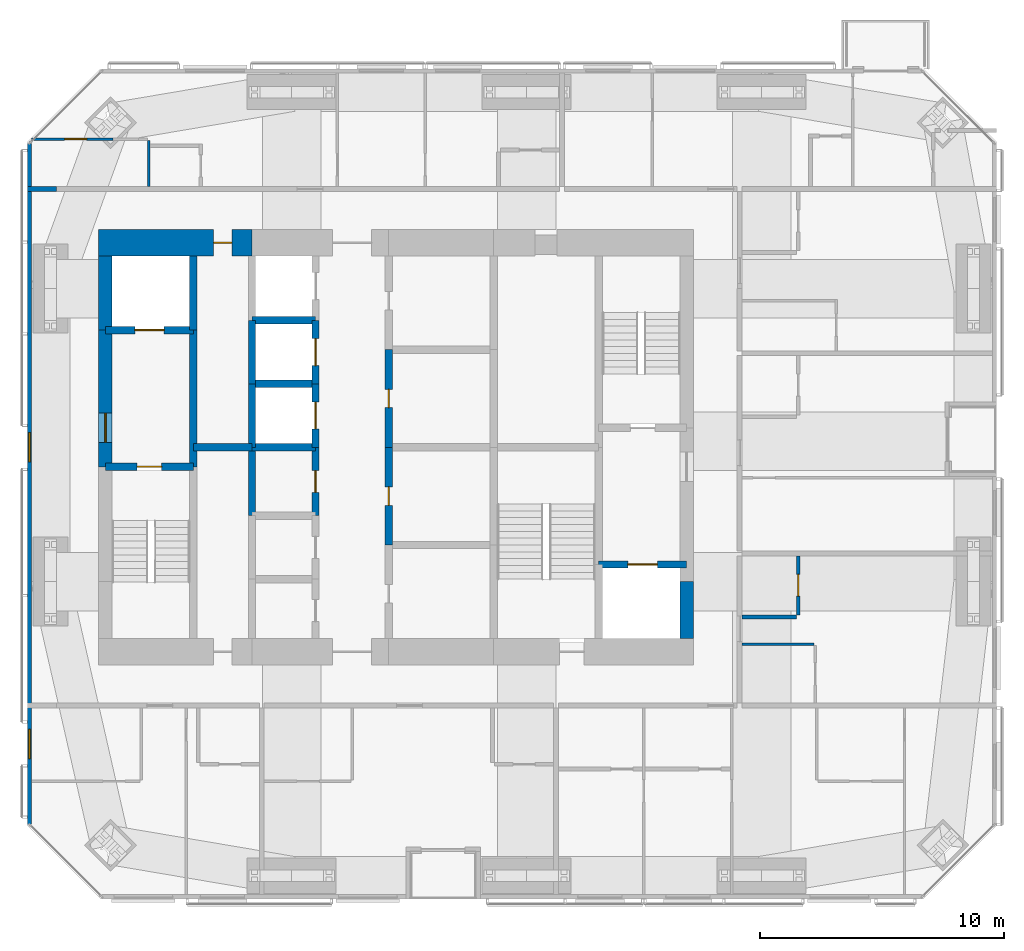
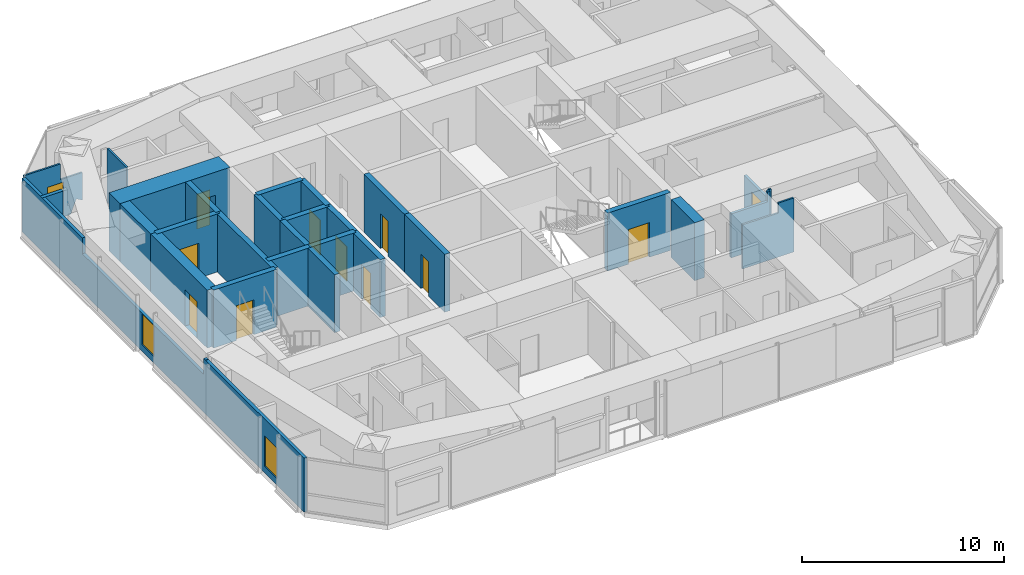
# One storey, part 15 of 19: 28 walls, 12 doors, 2 windows, 14 openings.
"""IFC4 building model written with IfcOpenShell, lengths in metres."""

from ifc_helpers import new_model, si_unit, direction, frame, frame_2d, origin, place, context, subcontext, project, spatial, polyline, rectangle, outline, extrude, material, layer, layer_set, constituent, constituent_set, type_object, element, fill, save


model = new_model("IFC4")

# Units and contexts
model_context = context("Model", 3, precision=1e-05, world=origin(), true_north=direction((0.0, 1.0)))
body_context = subcontext(model_context, "Body", "Model", "MODEL_VIEW")
ifc_project = project(units=[si_unit("LENGTHUNIT", "METRE"), si_unit("AREAUNIT", "SQUARE_METRE"), si_unit("VOLUMEUNIT", "CUBIC_METRE"), si_unit("PLANEANGLEUNIT", "RADIAN"), si_unit("MASSUNIT", "GRAM", prefix="KILO")], contexts=[model_context])

# Site, building, storey
site_placement = place(None, origin())
site = spatial("IfcSite", under=ifc_project, at=site_placement, CompositionType="ELEMENT")
building_placement = place(site_placement, origin())
building = spatial("IfcBuilding", under=site, at=building_placement, Name="Jalousie Tower", CompositionType="ELEMENT")
storey_placement = place(building_placement, frame((0.0, 0.0, 217.949951171875)))
storey = spatial("IfcBuildingStorey", under=building, at=storey_placement, Name="L59", CompositionType="ELEMENT", Elevation=217.949951171875)

# Wall, opening, door
ifc_material_1 = material(Name="Concrete block ASTM C90", Category="concrete")
ifc_constituent_1 = constituent(ifc_material_1, Name="Body")
ifc_material_2 = material(Name="Render")
ifc_constituent_2 = constituent(ifc_material_2, Name="Finish")
ifc_constituent_set_1 = constituent_set(constituents=[ifc_constituent_1, ifc_constituent_2])
wall_type_1 = type_object("IfcWallType", Name="BATHROOM WALL 150", PredefinedType="PLUMBINGWALL", material=ifc_constituent_set_1)
wall_1_placement = place(storey_placement, frame((48.375, 11.625, 0.0), z_axis=(0.0, 0.0, 1.0), x_axis=(0.0, 1.0, 0.0)))
wall_1 = element("IfcWall", 1, at=wall_1_placement, inside=storey, type_object=wall_type_1, Name="Bathroom Wall 150 L59", PredefinedType="PLUMBINGWALL", context=body_context, shape_type="SweptSolid", body=[
    extrude(outline(polyline([(0.0, 0.0), (2.425048828125, 0.0), (2.425048828125, 3.260009765625), (2.425048828125, 2.66015625), (0.090087890625, 2.66015625), (0.090087890625, 3.260009765625), (0.0, 3.260009765625), (0.0, 0.0)])), frame((0.0, 0.074951171875, 0.0), z_axis=(0.0, -1.0, 0.0), x_axis=(1.0, 0.0, 0.0)), (0.0, 0.0, 1.0), 0.14990234375),
])
opening_1_placement = place(wall_1_placement, frame((0.77490234375, 0.0, 0.0)))
opening_1 = element("IfcOpeningElement", 2, at=opening_1_placement, cuts=wall_1, Name="Opening D3", PredefinedType="OPENING", context=body_context, shape_type="SweptSolid", body=[
    extrude(rectangle(XDim=0.89990234375, YDim=2.10009765625, at=frame_2d((0.449951171875, 1.050048828125))), frame((0.0, 0.0849609375, 0.0), z_axis=(0.0, -1.0, 0.0), x_axis=(1.0, 0.0, 0.0)), (0.0, 0.0, 1.0), 0.169921875),
])
ifc_material_3 = material(Name="Timber door", Category="wood")
door_type_1 = type_object("IfcDoorType", Name="BATHROOM DOOR 900", OperationType="SINGLE_SWING_LEFT", PredefinedType="DOOR", material=ifc_material_3)
door_1_placement = place(opening_1_placement, origin())
door_1 = element("IfcDoor", 3, at=door_1_placement, inside=storey, type_object=door_type_1, Name="Apartment 5906 bathroom door", OperationType="SINGLE_SWING_RIGHT", OverallHeight=2.10009765625, OverallWidth=0.89990234375, PredefinedType="DOOR", context=body_context, shape_type="SweptSolid", body=[
    extrude(rectangle(XDim=0.89990234375, YDim=2.10009765625, at=frame_2d((0.449951171875, 1.050048828125))), frame((0.0, 0.02490234375, 0.0), z_axis=(0.0, -1.0, 0.0), x_axis=(1.0, 0.0, 0.0)), (0.0, 0.0, 1.0), 0.050048828125),
])
fill(opening_1, door_1)

# Wall
wall_2_placement = place(storey_placement, frame((48.300048828125, 11.550048828125, 0.0), z_axis=(0.0, 0.0, 1.0), x_axis=(-1.0, 0.0, 0.0)))
element("IfcWall", 4, at=wall_2_placement, inside=storey, type_object=wall_type_1, Name="Bathroom Wall 150 L59", PredefinedType="PLUMBINGWALL", context=body_context, shape_type="SweptSolid", body=[
    extrude(outline(polyline([(0.0, 0.0), (2.22509765625, 0.0), (2.22509765625, 3.260009765625), (2.22509765625, 2.66015625), (0.139892578125, 2.66015625), (0.139892578125, 3.260009765625), (0.0, 3.260009765625), (0.0, 0.0)])), frame((0.0, 0.074951171875, 0.0), z_axis=(0.0, -1.0, 0.0), x_axis=(1.0, 0.0, 0.0)), (0.0, 0.0, 1.0), 0.14990234375),
])

# Wall, opening, door
ifc_material_4 = material(Name="Concrete f'c 120 MPa", Category="concrete")
ifc_layer_1 = layer(ifc_material_4, 1.10009765625)
ifc_layer_set_1 = layer_set([ifc_layer_1], Name="Concrete f'c 120 MPa")
wall_type_2 = type_object("IfcWallType", Name="CORE WALL 1100", PredefinedType="SHEAR", material=ifc_layer_set_1)
wall_3_placement = place(storey_placement, frame((26.0, 26.875, 0.0), z_axis=(0.0, 0.0, 1.0), x_axis=(-1.0, 0.0, 0.0)))
wall_3 = element("IfcWall", 5, at=wall_3_placement, inside=storey, type_object=wall_type_2, Name="Core wall ND L59", PredefinedType="SHEAR", context=body_context, shape_type="SweptSolid", body=[
    extrude(rectangle(XDim=6.27490234375, YDim=1.10009765625, at=frame_2d((3.137451171875, 0.0))), origin(), (0.0, 0.0, 1.0), 3.5),
])
opening_2_placement = place(wall_3_placement, frame((0.824951171875, 0.0, 0.0)))
opening_2 = element("IfcOpeningElement", 6, at=opening_2_placement, cuts=wall_3, Name="Opening D16", PredefinedType="OPENING", context=body_context, shape_type="SweptSolid", body=[
    extrude(rectangle(XDim=0.75, YDim=2.10009765625, at=frame_2d((0.375, 1.050048828125))), frame((0.0, 0.56005859375, 0.0), z_axis=(0.0, -1.0, 0.0), x_axis=(1.0, 0.0, 0.0)), (0.0, 0.0, 1.0), 1.1201171875),
])
ifc_material_5 = material(Name="Steel fire door", Category="steel")
door_type_2 = type_object("IfcDoorType", Name="RISER DOOR 750", OperationType="SINGLE_SWING_LEFT", PredefinedType="DOOR", material=ifc_material_5)
door_2_placement = place(opening_2_placement, origin())
door_2 = element("IfcDoor", 7, at=door_2_placement, inside=storey, type_object=door_type_2, Name="North riser door", OperationType="SINGLE_SWING_RIGHT", OverallHeight=2.10009765625, OverallWidth=0.75, PredefinedType="DOOR", context=body_context, shape_type="SweptSolid", body=[
    extrude(rectangle(XDim=0.75, YDim=2.10009765625, at=frame_2d((0.375, 1.050048828125))), frame((0.0, 0.02490234375, 0.0), z_axis=(0.0, -1.0, 0.0), x_axis=(1.0, 0.0, 0.0)), (0.0, 0.0, 1.0), 0.050048828125),
])
fill(opening_2, door_2)

# Walls
ifc_material_6 = material(Name="Concrete f'c 120 MPa", Category="concrete")
ifc_layer_2 = layer(ifc_material_6, 0.300048828125)
ifc_layer_set_2 = layer_set([ifc_layer_2], Name="Concrete f'c 120 MPa")
wall_type_3 = type_object("IfcWallType", Name="CORE WALL 300", PredefinedType="SHEAR", material=ifc_layer_set_2)
wall_4_placement = place(storey_placement, frame((23.60009765625, 17.699951171875, 0.0), z_axis=(0.0, 0.0, 1.0), x_axis=(0.0, 1.0, 0.0)))
element("IfcWall", 8, at=wall_4_placement, inside=storey, type_object=wall_type_3, Name="Core wall X23.6B L59", PredefinedType="SHEAR", context=body_context, shape_type="SweptSolid", body=[
    extrude(rectangle(XDim=5.60009765625, YDim=0.300048828125, at=frame_2d((2.800048828125, 0.0))), origin(), (0.0, 0.0, 1.0), 3.5),
])
wall_5_placement = place(storey_placement, frame((23.60009765625, 23.300048828125, 0.0), z_axis=(0.0, 0.0, 1.0), x_axis=(0.0, 1.0, 0.0)))
element("IfcWall", 9, at=wall_5_placement, inside=storey, type_object=wall_type_3, Name="Core wall X23.6C L59", PredefinedType="SHEAR", context=body_context, shape_type="SweptSolid", body=[
    extrude(rectangle(XDim=3.02490234375, YDim=0.300048828125, at=frame_2d((1.512451171875, 0.0))), origin(), (0.0, 0.0, 1.0), 3.5),
])
wall_6_placement = place(storey_placement, frame((26.0, 15.699951171875, 0.0), z_axis=(0.0, 0.0, 1.0), x_axis=(0.0, 1.0, 0.0)))
element("IfcWall", 10, at=wall_6_placement, inside=storey, type_object=wall_type_3, Name="Core wall X26C L59", PredefinedType="SHEAR", context=body_context, shape_type="SweptSolid", body=[
    extrude(rectangle(XDim=2.800048828125, YDim=0.300048828125, at=frame_2d((1.39990234375, 0.0))), origin(), (0.0, 0.0, 1.0), 3.5),
])
wall_7_placement = place(storey_placement, frame((26.0, 18.5, 0.0), z_axis=(0.0, 0.0, 1.0), x_axis=(0.0, 1.0, 0.0)))
element("IfcWall", 11, at=wall_7_placement, inside=storey, type_object=wall_type_3, Name="Core wall X26D L59", PredefinedType="SHEAR", context=body_context, shape_type="SweptSolid", body=[
    extrude(rectangle(XDim=2.60009765625, YDim=0.300048828125, at=frame_2d((1.300048828125, 0.0))), origin(), (0.0, 0.0, 1.0), 3.5),
])
wall_8_placement = place(storey_placement, frame((26.0, 21.10009765625, 0.0), z_axis=(0.0, 0.0, 1.0), x_axis=(0.0, 1.0, 0.0)))
element("IfcWall", 12, at=wall_8_placement, inside=storey, type_object=wall_type_3, Name="Core wall X26E L59", PredefinedType="SHEAR", context=body_context, shape_type="SweptSolid", body=[
    extrude(rectangle(XDim=2.599853515625, YDim=0.300048828125, at=frame_2d((1.2998046875, 0.0))), origin(), (0.0, 0.0, 1.0), 3.5),
])

# Wall, opening, door
wall_9_placement = place(storey_placement, frame((28.60009765625, 15.699951171875, 0.0), z_axis=(0.0, 0.0, 1.0), x_axis=(0.0, 1.0, 0.0)))
wall_9 = element("IfcWall", 13, at=wall_9_placement, inside=storey, type_object=wall_type_3, Name="Core wall X28.6C L59", PredefinedType="SHEAR", context=body_context, shape_type="SweptSolid", body=[
    extrude(rectangle(XDim=2.800048828125, YDim=0.300048828125, at=frame_2d((1.39990234375, 0.0))), origin(), (0.0, 0.0, 1.0), 3.5),
])
opening_3_placement = place(wall_9_placement, frame((0.949951171875, 0.0, 0.0)))
opening_3 = element("IfcOpeningElement", 14, at=opening_3_placement, cuts=wall_9, Name="Opening D24", PredefinedType="OPENING", context=body_context, shape_type="SweptSolid", body=[
    extrude(rectangle(XDim=0.89990234375, YDim=2.10009765625, at=frame_2d((0.449951171875, 1.050048828125))), frame((0.0, 0.159912109375, 0.0), z_axis=(0.0, -1.0, 0.0), x_axis=(1.0, 0.0, 0.0)), (0.0, 0.0, 1.0), 0.320068359375),
])
ifc_material_7 = material(Name="Steel fire door", Category="steel")
door_type_3 = type_object("IfcDoorType", Name="CORE ROOM DOOR 900", OperationType="SINGLE_SWING_LEFT", PredefinedType="DOOR", material=ifc_material_7)
door_3_placement = place(opening_3_placement, origin())
door_3 = element("IfcDoor", 15, at=door_3_placement, inside=storey, type_object=door_type_3, Name="Linen store door", OperationType="SINGLE_SWING_LEFT", OverallHeight=2.10009765625, OverallWidth=0.89990234375, PredefinedType="DOOR", context=body_context, shape_type="SweptSolid", body=[
    extrude(rectangle(XDim=0.89990234375, YDim=2.10009765625, at=frame_2d((0.449951171875, 1.050048828125))), frame((0.0, 0.02490234375, 0.0), z_axis=(0.0, -1.0, 0.0), x_axis=(1.0, 0.0, 0.0)), (0.0, 0.0, 1.0), 0.050048828125),
])
fill(opening_3, door_3)

wall_10_placement = place(storey_placement, frame((28.60009765625, 18.5, 0.0), z_axis=(0.0, 0.0, 1.0), x_axis=(0.0, 1.0, 0.0)))
wall_10 = element("IfcWall", 16, at=wall_10_placement, inside=storey, type_object=wall_type_3, Name="Core wall X28.6D L59", PredefinedType="SHEAR", context=body_context, shape_type="SweptSolid", body=[
    extrude(rectangle(XDim=2.60009765625, YDim=0.300048828125, at=frame_2d((1.300048828125, 0.0))), origin(), (0.0, 0.0, 1.0), 3.5),
])
opening_4_placement = place(wall_10_placement, frame((0.75, 0.0, 0.0)))
opening_4 = element("IfcOpeningElement", 17, at=opening_4_placement, cuts=wall_10, Name="Opening LD1", PredefinedType="OPENING", context=body_context, shape_type="SweptSolid", body=[
    extrude(rectangle(XDim=1.10009765625, YDim=2.10009765625, at=frame_2d((0.550048828125, 1.050048828125))), frame((0.0, 0.159912109375, 0.0), z_axis=(0.0, -1.0, 0.0), x_axis=(1.0, 0.0, 0.0)), (0.0, 0.0, 1.0), 0.320068359375),
])
ifc_material_8 = material(Name="Steel lift landing door", Category="steel")
door_type_4 = type_object("IfcDoorType", Name="LIFT LANDING DOOR 1100", OperationType="SLIDING_TO_LEFT", PredefinedType="DOOR", material=ifc_material_8)
door_4_placement = place(opening_4_placement, origin())
door_4 = element("IfcDoor", 18, at=door_4_placement, inside=storey, type_object=door_type_4, Name="Lift P4 landing door", OperationType="SLIDING_TO_LEFT", OverallHeight=2.10009765625, OverallWidth=1.10009765625, PredefinedType="DOOR", context=body_context, shape_type="SweptSolid", body=[
    extrude(rectangle(XDim=1.10009765625, YDim=2.10009765625, at=frame_2d((0.550048828125, 1.050048828125))), frame((0.0, 0.02490234375, 0.0), z_axis=(0.0, -1.0, 0.0), x_axis=(1.0, 0.0, 0.0)), (0.0, 0.0, 1.0), 0.050048828125),
])
fill(opening_4, door_4)

wall_11_placement = place(storey_placement, frame((28.60009765625, 21.10009765625, 0.0), z_axis=(0.0, 0.0, 1.0), x_axis=(0.0, 1.0, 0.0)))
wall_11 = element("IfcWall", 19, at=wall_11_placement, inside=storey, type_object=wall_type_3, Name="Core wall X28.6E L59", PredefinedType="SHEAR", context=body_context, shape_type="SweptSolid", body=[
    extrude(rectangle(XDim=2.599853515625, YDim=0.300048828125, at=frame_2d((1.2998046875, 0.0))), origin(), (0.0, 0.0, 1.0), 3.5),
])
opening_5_placement = place(wall_11_placement, frame((0.75, 0.0, 0.0)))
opening_5 = element("IfcOpeningElement", 20, at=opening_5_placement, cuts=wall_11, Name="Opening LD1", PredefinedType="OPENING", context=body_context, shape_type="SweptSolid", body=[
    extrude(rectangle(XDim=1.10009765625, YDim=2.10009765625, at=frame_2d((0.550048828125, 1.050048828125))), frame((0.0, 0.159912109375, 0.0), z_axis=(0.0, -1.0, 0.0), x_axis=(1.0, 0.0, 0.0)), (0.0, 0.0, 1.0), 0.320068359375),
])
door_5_placement = place(opening_5_placement, origin())
door_5 = element("IfcDoor", 21, at=door_5_placement, inside=storey, type_object=door_type_4, Name="Lift P5 landing door", OperationType="SLIDING_TO_LEFT", OverallHeight=2.10009765625, OverallWidth=1.10009765625, PredefinedType="DOOR", context=body_context, shape_type="SweptSolid", body=[
    extrude(rectangle(XDim=1.10009765625, YDim=2.10009765625, at=frame_2d((0.550048828125, 1.050048828125))), frame((0.0, 0.02490234375, 0.0), z_axis=(0.0, -1.0, 0.0), x_axis=(1.0, 0.0, 0.0)), (0.0, 0.0, 1.0), 0.050048828125),
])
fill(opening_5, door_5)

wall_12_placement = place(storey_placement, frame((31.60009765625, 14.5, 0.0), z_axis=(0.0, 0.0, 1.0), x_axis=(0.0, 1.0, 0.0)))
wall_12 = element("IfcWall", 22, at=wall_12_placement, inside=storey, type_object=wall_type_3, Name="Core wall X31.6B L59", PredefinedType="SHEAR", context=body_context, shape_type="SweptSolid", body=[
    extrude(rectangle(XDim=4.0, YDim=0.300048828125, at=frame_2d((2.0, 0.0))), origin(), (0.0, 0.0, 1.0), 3.5),
])
opening_6_placement = place(wall_12_placement, frame((1.625, 0.0, 0.0)))
opening_6 = element("IfcOpeningElement", 23, at=opening_6_placement, cuts=wall_12, Name="Opening D16", PredefinedType="OPENING", context=body_context, shape_type="SweptSolid", body=[
    extrude(rectangle(XDim=0.75, YDim=2.10009765625, at=frame_2d((0.375, 1.050048828125))), frame((0.0, 0.159912109375, 0.0), z_axis=(0.0, -1.0, 0.0), x_axis=(1.0, 0.0, 0.0)), (0.0, 0.0, 1.0), 0.320068359375),
])
door_6_placement = place(opening_6_placement, frame((0.75, 0.0, 0.0), z_axis=(0.0, 0.0, 1.0), x_axis=(-1.0, 0.0, 0.0)))
door_6 = element("IfcDoor", 24, at=door_6_placement, inside=storey, type_object=door_type_2, Name="Electrical Room door", OperationType="SINGLE_SWING_RIGHT", OverallHeight=2.10009765625, OverallWidth=0.75, PredefinedType="DOOR", context=body_context, shape_type="SweptSolid", body=[
    extrude(rectangle(XDim=0.75, YDim=2.10009765625, at=frame_2d((0.375, 1.050048828125))), frame((0.0, 0.02490234375, 0.0), z_axis=(0.0, -1.0, 0.0), x_axis=(1.0, 0.0, 0.0)), (0.0, 0.0, 1.0), 0.050048828125),
])
fill(opening_6, door_6)

wall_13_placement = place(storey_placement, frame((31.60009765625, 18.5, 0.0), z_axis=(0.0, 0.0, 1.0), x_axis=(0.0, 1.0, 0.0)))
wall_13 = element("IfcWall", 25, at=wall_13_placement, inside=storey, type_object=wall_type_3, Name="Core wall X31.6C L59", PredefinedType="SHEAR", context=body_context, shape_type="SweptSolid", body=[
    extrude(rectangle(XDim=4.0, YDim=0.300048828125, at=frame_2d((2.0, 0.0))), origin(), (0.0, 0.0, 1.0), 3.5),
])
opening_7_placement = place(wall_13_placement, frame((1.625, 0.0, 0.0)))
opening_7 = element("IfcOpeningElement", 26, at=opening_7_placement, cuts=wall_13, Name="Opening D16", PredefinedType="OPENING", context=body_context, shape_type="SweptSolid", body=[
    extrude(rectangle(XDim=0.75, YDim=2.10009765625, at=frame_2d((0.375, 1.050048828125))), frame((0.0, 0.159912109375, 0.0), z_axis=(0.0, -1.0, 0.0), x_axis=(1.0, 0.0, 0.0)), (0.0, 0.0, 1.0), 0.320068359375),
])
door_7_placement = place(opening_7_placement, frame((0.75, 0.0, 0.0), z_axis=(0.0, 0.0, 1.0), x_axis=(-1.0, 0.0, 0.0)))
door_7 = element("IfcDoor", 27, at=door_7_placement, inside=storey, type_object=door_type_2, Name="Telecom Room door", OperationType="SINGLE_SWING_RIGHT", OverallHeight=2.10009765625, OverallWidth=0.75, PredefinedType="DOOR", context=body_context, shape_type="SweptSolid", body=[
    extrude(rectangle(XDim=0.75, YDim=2.10009765625, at=frame_2d((0.375, 1.050048828125))), frame((0.0, 0.02490234375, 0.0), z_axis=(0.0, -1.0, 0.0), x_axis=(1.0, 0.0, 0.0)), (0.0, 0.0, 1.0), 0.050048828125),
])
fill(opening_7, door_7)

wall_14_placement = place(storey_placement, frame((20.0, 17.699951171875, 0.0), z_axis=(0.0, 0.0, 1.0), x_axis=(1.0, 0.0, 0.0)))
wall_14 = element("IfcWall", 28, at=wall_14_placement, inside=storey, type_object=wall_type_3, Name="Core wall Y20-17.7 L59", PredefinedType="SHEAR", context=body_context, shape_type="SweptSolid", body=[
    extrude(rectangle(XDim=3.60009765625, YDim=0.300048828125, at=frame_2d((1.800048828125, 0.0))), origin(), (0.0, 0.0, 1.0), 3.5),
])
opening_8_placement = place(wall_14_placement, frame((1.300048828125, 0.0, 0.0)))
opening_8 = element("IfcOpeningElement", 29, at=opening_8_placement, cuts=wall_14, Name="Opening D10", PredefinedType="OPENING", context=body_context, shape_type="SweptSolid", body=[
    extrude(rectangle(XDim=1.0, YDim=2.10009765625, at=frame_2d((0.5, 1.050048828125))), frame((0.0, 0.159912109375, 0.0), z_axis=(0.0, -1.0, 0.0), x_axis=(1.0, 0.0, 0.0)), (0.0, 0.0, 1.0), 0.320068359375),
])
ifc_material_9 = material(Name="Steel fire door", Category="steel")
door_type_5 = type_object("IfcDoorType", Name="STAIR DOOR 1000", OperationType="SINGLE_SWING_LEFT", PredefinedType="DOOR", material=ifc_material_9)
door_8_placement = place(opening_8_placement, frame((1.0, 0.0, 0.0), z_axis=(0.0, 0.0, 1.0), x_axis=(-1.0, 0.0, 0.0)))
door_8 = element("IfcDoor", 30, at=door_8_placement, inside=storey, type_object=door_type_5, Name="Exit stair A door", OperationType="SINGLE_SWING_RIGHT", OverallHeight=2.10009765625, OverallWidth=1.0, PredefinedType="DOOR", context=body_context, shape_type="SweptSolid", body=[
    extrude(rectangle(XDim=1.0, YDim=2.10009765625, at=frame_2d((0.5, 1.050048828125))), frame((0.0, 0.02490234375, 0.0), z_axis=(0.0, -1.0, 0.0), x_axis=(1.0, 0.0, 0.0)), (0.0, 0.0, 1.0), 0.050048828125),
])
fill(opening_8, door_8)

wall_15_placement = place(storey_placement, frame((20.0, 23.300048828125, 0.0), z_axis=(0.0, 0.0, 1.0), x_axis=(1.0, 0.0, 0.0)))
wall_15 = element("IfcWall", 31, at=wall_15_placement, inside=storey, type_object=wall_type_3, Name="Core wall Y20-23.3 L59", PredefinedType="SHEAR", context=body_context, shape_type="SweptSolid", body=[
    extrude(rectangle(XDim=3.60009765625, YDim=0.300048828125, at=frame_2d((1.800048828125, 0.0))), origin(), (0.0, 0.0, 1.0), 3.5),
])
opening_9_placement = place(wall_15_placement, frame((1.199951171875, 0.0, 0.0)))
opening_9 = element("IfcOpeningElement", 32, at=opening_9_placement, cuts=wall_15, Name="Opening LD2", PredefinedType="OPENING", context=body_context, shape_type="SweptSolid", body=[
    extrude(rectangle(XDim=1.199951171875, YDim=2.10009765625, at=frame_2d((0.60009765625, 1.050048828125))), frame((0.0, 0.159912109375, 0.0), z_axis=(0.0, -1.0, 0.0), x_axis=(1.0, 0.0, 0.0)), (0.0, 0.0, 1.0), 0.320068359375),
])
ifc_material_10 = material(Name="Steel lift landing door", Category="steel")
door_type_6 = type_object("IfcDoorType", Name="LIFT LANDING DOOR 1200", OperationType="SLIDING_TO_LEFT", PredefinedType="DOOR", material=ifc_material_10)
door_9_placement = place(opening_9_placement, origin())
door_9 = element("IfcDoor", 33, at=door_9_placement, inside=storey, type_object=door_type_6, Name="Lift F1 landing door", OperationType="SLIDING_TO_LEFT", OverallHeight=2.10009765625, OverallWidth=1.199951171875, PredefinedType="DOOR", context=body_context, shape_type="SweptSolid", body=[
    extrude(rectangle(XDim=1.199951171875, YDim=2.10009765625, at=frame_2d((0.60009765625, 1.050048828125))), frame((0.0, 0.02490234375, 0.0), z_axis=(0.0, -1.0, 0.0), x_axis=(1.0, 0.0, 0.0)), (0.0, 0.0, 1.0), 0.050048828125),
])
fill(opening_9, door_9)

# Walls
wall_16_placement = place(storey_placement, frame((23.60009765625, 18.5, 0.0), z_axis=(0.0, 0.0, 1.0), x_axis=(1.0, 0.0, 0.0)))
element("IfcWall", 34, at=wall_16_placement, inside=storey, type_object=wall_type_3, Name="Core wall Y23.6-18.5 L59", PredefinedType="SHEAR", context=body_context, shape_type="SweptSolid", body=[
    extrude(rectangle(XDim=2.39990234375, YDim=0.300048828125, at=frame_2d((1.199951171875, 0.0))), origin(), (0.0, 0.0, 1.0), 3.5),
])
for number, where, z_axis, x_axis, name in (
    (35, (26.0, 18.5, 0.0), (0.0, 0.0, 1.0), (1.0, 0.0, 0.0), "Core wall Y26-18.5 L59"),
    (36, (26.0, 21.10009765625, 0.0), (0.0, 0.0, 1.0), (1.0, 0.0, 0.0), "Core wall Y26-21.1 L59"),
    (37, (26.0, 23.699951171875, 0.0), (0.0, 0.0, 1.0), (1.0, 0.0, 0.0), "Core wall Y26-23.7 L59"),
):
    element("IfcWall", number, at=place(storey_placement, frame(where, z_axis=z_axis, x_axis=x_axis)), inside=storey, type_object=wall_type_3, Name=name, PredefinedType="SHEAR", context=body_context, shape_type="SweptSolid", body=[
        extrude(rectangle(XDim=2.60009765625, YDim=0.300048828125, at=frame_2d((1.300048828125, 0.0))), origin(), (0.0, 0.0, 1.0), 3.5),
    ])

# Wall, opening, door
wall_17_placement = place(storey_placement, frame((40.199951171875, 13.699951171875, 0.0), z_axis=(0.0, 0.0, 1.0), x_axis=(1.0, 0.0, 0.0)))
wall_17 = element("IfcWall", 38, at=wall_17_placement, inside=storey, type_object=wall_type_3, Name="Core wall Y40.2-13.7 L59", PredefinedType="SHEAR", context=body_context, shape_type="SweptSolid", body=[
    extrude(rectangle(XDim=3.60009765625, YDim=0.300048828125, at=frame_2d((1.800048828125, 0.0))), origin(), (0.0, 0.0, 1.0), 3.5),
])
opening_10_placement = place(wall_17_placement, frame((1.199951171875, 0.0, 0.0)))
opening_10 = element("IfcOpeningElement", 39, at=opening_10_placement, cuts=wall_17, Name="Opening LD2", PredefinedType="OPENING", context=body_context, shape_type="SweptSolid", body=[
    extrude(rectangle(XDim=1.199951171875, YDim=2.10009765625, at=frame_2d((0.60009765625, 1.050048828125))), frame((0.0, 0.159912109375, 0.0), z_axis=(0.0, -1.0, 0.0), x_axis=(1.0, 0.0, 0.0)), (0.0, 0.0, 1.0), 0.320068359375),
])
door_10_placement = place(opening_10_placement, origin())
door_10 = element("IfcDoor", 40, at=door_10_placement, inside=storey, type_object=door_type_6, Name="Lift F2 landing door", OperationType="SLIDING_TO_LEFT", OverallHeight=2.10009765625, OverallWidth=1.199951171875, PredefinedType="DOOR", context=body_context, shape_type="SweptSolid", body=[
    extrude(rectangle(XDim=1.199951171875, YDim=2.10009765625, at=frame_2d((0.60009765625, 1.050048828125))), frame((0.0, 0.02490234375, 0.0), z_axis=(0.0, -1.0, 0.0), x_axis=(1.0, 0.0, 0.0)), (0.0, 0.0, 1.0), 0.050048828125),
])
fill(opening_10, door_10)

# Wall
ifc_material_11 = material(Name="Concrete f'c 120 MPa", Category="concrete")
ifc_layer_3 = layer(ifc_material_11, 0.550048828125)
ifc_layer_set_3 = layer_set([ifc_layer_3], Name="Concrete f'c 120 MPa")
wall_type_4 = type_object("IfcWallType", Name="CORE WALL 550", PredefinedType="SHEAR", material=ifc_layer_set_3)
wall_18_placement = place(storey_placement, frame((20.0, 26.324951171875, 0.0), z_axis=(0.0, 0.0, 1.0), x_axis=(0.0, -1.0, 0.0)))
element("IfcWall", 41, at=wall_18_placement, inside=storey, type_object=wall_type_4, Name="Core wall WA L59", PredefinedType="SHEAR", context=body_context, shape_type="SweptSolid", body=[
    extrude(rectangle(XDim=3.02490234375, YDim=0.550048828125, at=frame_2d((1.512451171875, 0.0))), origin(), (0.0, 0.0, 1.0), 3.5),
])

# Wall, opening, door
wall_19_placement = place(storey_placement, frame((20.0, 23.300048828125, 0.0), z_axis=(0.0, 0.0, 1.0), x_axis=(0.0, -1.0, 0.0)))
wall_19 = element("IfcWall", 42, at=wall_19_placement, inside=storey, type_object=wall_type_4, Name="Core wall WB L59", PredefinedType="SHEAR", context=body_context, shape_type="SweptSolid", body=[
    extrude(rectangle(XDim=5.60009765625, YDim=0.550048828125, at=frame_2d((2.800048828125, 0.0))), origin(), (0.0, 0.0, 1.0), 3.5),
])
opening_11_placement = place(wall_19_placement, frame((3.39990234375, 0.0, 0.0)))
opening_11 = element("IfcOpeningElement", 43, at=opening_11_placement, cuts=wall_19, Name="Opening D11", PredefinedType="OPENING", context=body_context, shape_type="SweptSolid", body=[
    extrude(rectangle(XDim=1.199951171875, YDim=2.199951171875, at=frame_2d((0.60009765625, 1.10009765625))), frame((0.0, 0.284912109375, 0.0), z_axis=(0.0, -1.0, 0.0), x_axis=(1.0, 0.0, 0.0)), (0.0, 0.0, 1.0), 0.570068359375),
])
ifc_material_12 = material(Name="Steel fire door", Category="steel")
door_type_7 = type_object("IfcDoorType", Name="FIRE DOOR 1200", OperationType="SINGLE_SWING_LEFT", PredefinedType="DOOR", material=ifc_material_12)
door_11_placement = place(opening_11_placement, origin())
door_11 = element("IfcDoor", 44, at=door_11_placement, inside=storey, type_object=door_type_7, Name="Fire-fighting lobby A door", OperationType="SINGLE_SWING_RIGHT", OverallHeight=2.199951171875, OverallWidth=1.199951171875, PredefinedType="DOOR", context=body_context, shape_type="SweptSolid", body=[
    extrude(rectangle(XDim=1.199951171875, YDim=2.199951171875, at=frame_2d((0.60009765625, 1.10009765625))), frame((0.0, 0.02490234375, 0.0), z_axis=(0.0, -1.0, 0.0), x_axis=(1.0, 0.0, 0.0)), (0.0, 0.0, 1.0), 0.050048828125),
])
fill(opening_11, door_11)

# Wall
wall_20_placement = place(storey_placement, frame((43.800048828125, 10.675048828125, 0.0), z_axis=(0.0, 0.0, 1.0), x_axis=(0.0, 1.0, 0.0)))
element("IfcWall", 45, at=wall_20_placement, inside=storey, type_object=wall_type_4, Name="Core wall EA L59", PredefinedType="SHEAR", context=body_context, shape_type="SweptSolid", body=[
    extrude(rectangle(XDim=2.324951171875, YDim=0.550048828125, at=frame_2d((1.16259765625, 0.0))), origin(), (0.0, 0.0, 1.0), 3.5),
])

# Wall, openings, windows
ifc_material_13 = material(Name="Concrete f'c 40 MPa", Category="concrete")
ifc_constituent_3 = constituent(ifc_material_13, Name="Body")
ifc_material_14 = material(Name="Render, pastel sky blue")
ifc_constituent_4 = constituent(ifc_material_14, Name="Finish")
ifc_constituent_set_2 = constituent_set(constituents=[ifc_constituent_3, ifc_constituent_4])
wall_type_5 = type_object("IfcWallType", Name="EXTERNAL WALL 175 SKY BLUE RENDER", PredefinedType="SOLIDWALL", material=ifc_constituent_set_2)
wall_21_placement = place(storey_placement, frame((16.887451171875, 30.94873046875, 0.0), z_axis=(0.0, 0.0, 1.0), x_axis=(0.0, -1.0, 0.0)))
wall_21 = element("IfcWall", 46, at=wall_21_placement, inside=storey, type_object=wall_type_5, Name="External Wall 175 Sky Blue Render L59", PredefinedType="SOLIDWALL", context=body_context, shape_type="SweptSolid", body=[
    extrude(outline(polyline([(27.8974609375, 0.0), (27.8974609375, 3.260009765625), (18.1484375, 3.260009765625), (18.1484375, 2.300048828125), (18.125, 2.300048828125), (18.125, 3.260009765625), (17.94873046875, 3.260009765625), (17.94873046875, 2.300048828125), (5.94873046875, 2.300048828125), (5.94873046875, 3.260009765625), (0.0, 3.260009765625), (0.0, 0.0), (5.23876953125, 0.0), (5.23876953125, 0.012939453125), (6.65869140625, 0.012939453125), (6.65869140625, 0.0), (17.23876953125, 0.0), (17.23876953125, 0.012939453125), (18.65869140625, 0.012939453125), (18.65869140625, 0.0), (27.8974609375, 0.0)])), frame((0.0, 0.08740234375, 0.0), z_axis=(0.0, -1.0, 0.0), x_axis=(1.0, 0.0, 0.0)), (0.0, 0.0, 1.0), 0.175048828125),
])
opening_12_placement = place(wall_21_placement, frame((11.8486328125, 0.0, 0.39990234375)))
opening_12 = element("IfcOpeningElement", 47, at=opening_12_placement, cuts=wall_21, Name="Opening W-COR185", PredefinedType="OPENING", context=body_context, shape_type="SweptSolid", body=[
    extrude(rectangle(XDim=1.199951171875, YDim=1.85009765625, at=frame_2d((0.60009765625, 0.925048828125))), frame((0.0, 0.097412109375, 0.0), z_axis=(0.0, -1.0, 0.0), x_axis=(1.0, 0.0, 0.0)), (0.0, 0.0, 1.0), 0.195068359375),
])
opening_13_placement = place(wall_21_placement, frame((23.998779296875, 0.0, 0.39990234375)))
opening_13 = element("IfcOpeningElement", 48, at=opening_13_placement, cuts=wall_21, Name="Opening W-COR185", PredefinedType="OPENING", context=body_context, shape_type="SweptSolid", body=[
    extrude(rectangle(XDim=1.199951171875, YDim=1.85009765625, at=frame_2d((0.60009765625, 0.925048828125))), frame((0.0, 0.097412109375, 0.0), z_axis=(0.0, -1.0, 0.0), x_axis=(1.0, 0.0, 0.0)), (0.0, 0.0, 1.0), 0.195068359375),
])
ifc_material_15 = material(Name="Aluminium frame, impact-rated glazing", Category="aluminium")
window_type = type_object("IfcWindowType", Name="WINDOW COR 1200x1850", PartitioningType="SINGLE_PANEL", PredefinedType="WINDOW", material=ifc_material_15)
window_1_placement = place(opening_12_placement, origin())
window_1 = element("IfcWindow", 49, at=window_1_placement, inside=storey, type_object=window_type, Name="Corridor window", OverallHeight=1.85009765625, OverallWidth=1.199951171875, PartitioningType="SINGLE_PANEL", PredefinedType="WINDOW", context=body_context, shape_type="SweptSolid", body=[
    extrude(rectangle(XDim=1.199951171875, YDim=1.85009765625, at=frame_2d((0.60009765625, 0.925048828125))), frame((0.0, 0.030029296875, 0.0), z_axis=(0.0, -1.0, 0.0), x_axis=(1.0, 0.0, 0.0)), (0.0, 0.0, 1.0), 0.06005859375),
])
fill(opening_12, window_1)
window_2_placement = place(opening_13_placement, origin())
window_2 = element("IfcWindow", 50, at=window_2_placement, inside=storey, type_object=window_type, Name="Apartment 5901 kitchen window", OverallHeight=1.85009765625, OverallWidth=1.199951171875, PartitioningType="SINGLE_PANEL", PredefinedType="WINDOW", context=body_context, shape_type="SweptSolid", body=[
    extrude(rectangle(XDim=1.199951171875, YDim=1.85009765625, at=frame_2d((0.60009765625, 0.925048828125))), frame((0.0, 0.030029296875, 0.0), z_axis=(0.0, -1.0, 0.0), x_axis=(1.0, 0.0, 0.0)), (0.0, 0.0, 1.0), 0.06005859375),
])
fill(opening_13, window_2)

# Wall, opening, door
ifc_material_16 = material(Name="Gypsum board", Category="gypsum")
ifc_constituent_5 = constituent(ifc_material_16, Name="Body")
ifc_material_17 = material(Name="Light-gauge steel studs ASTM A653 SS Grade 33", Category="steel")
ifc_constituent_6 = constituent(ifc_material_17, Name="Framing")
ifc_constituent_set_3 = constituent_set(constituents=[ifc_constituent_5, ifc_constituent_6])
wall_type_6 = type_object("IfcWallType", Name="PARTITION 100", PredefinedType="PARTITIONING", material=ifc_constituent_set_3)
wall_22_placement = place(storey_placement, frame((16.97509765625, 31.125, 0.0), z_axis=(0.0, 0.0, 1.0), x_axis=(1.0, 0.0, 0.0)))
wall_22 = element("IfcWall", 51, at=wall_22_placement, inside=storey, type_object=wall_type_6, Name="Partition 100 L59-A", PredefinedType="PARTITIONING", context=body_context, shape_type="SweptSolid", body=[
    extrude(outline(polyline([(2.075927734375, 2.300048828125), (2.075927734375, 3.260009765625), (0.0, 3.260009765625), (0.0, 0.0), (2.66357421875, 0.0), (2.994873046875, 0.828857421875), (3.3369140625, 0.62841796875), (3.3369140625, 2.300048828125), (2.075927734375, 2.300048828125)])), frame((0.0, 0.050048828125, 0.0), z_axis=(0.0, -1.0, 0.0), x_axis=(1.0, 0.0, 0.0)), (0.0, 0.0, 1.0), 0.10009765625),
])
opening_14_placement = place(wall_22_placement, frame((1.35009765625, 0.0, 0.0)))
opening_14 = element("IfcOpeningElement", 52, at=opening_14_placement, cuts=wall_22, Name="Opening D7", PredefinedType="OPENING", context=body_context, shape_type="SweptSolid", body=[
    extrude(rectangle(XDim=0.89990234375, YDim=2.10009765625, at=frame_2d((0.449951171875, 1.050048828125))), frame((0.0, 0.06005859375, 0.0), z_axis=(0.0, -1.0, 0.0), x_axis=(1.0, 0.0, 0.0)), (0.0, 0.0, 1.0), 0.1201171875),
])
ifc_material_18 = material(Name="Timber door", Category="wood")
door_type_8 = type_object("IfcDoorType", Name="INTERNAL DOOR 900", OperationType="SINGLE_SWING_LEFT", PredefinedType="DOOR", material=ifc_material_18)
door_12_placement = place(opening_14_placement, frame((0.89990234375, 0.0, 0.0), z_axis=(0.0, 0.0, 1.0), x_axis=(-1.0, 0.0, 0.0)))
door_12 = element("IfcDoor", 53, at=door_12_placement, inside=storey, type_object=door_type_8, Name="Apartment 5904 kitchen door", OperationType="SINGLE_SWING_RIGHT", OverallHeight=2.10009765625, OverallWidth=0.89990234375, PredefinedType="DOOR", context=body_context, shape_type="SweptSolid", body=[
    extrude(rectangle(XDim=0.89990234375, YDim=2.10009765625, at=frame_2d((0.449951171875, 1.050048828125))), frame((0.0, 0.02490234375, 0.0), z_axis=(0.0, -1.0, 0.0), x_axis=(1.0, 0.0, 0.0)), (0.0, 0.0, 1.0), 0.050048828125),
])
fill(opening_14, door_12)

# Walls
wall_23_placement = place(storey_placement, frame((21.77490234375, 31.074951171875, 0.0), z_axis=(0.0, 0.0, 1.0), x_axis=(0.0, -1.0, 0.0)))
element("IfcWall", 54, at=wall_23_placement, inside=storey, type_object=wall_type_6, Name="Partition 100 L59", PredefinedType="PARTITIONING", context=body_context, shape_type="SweptSolid", body=[
    extrude(rectangle(XDim=1.89990234375, YDim=0.10009765625, at=frame_2d((0.949951171875, 0.0))), origin(), (0.0, 0.0, 1.0), 3.260009765625),
])
wall_24_placement = place(storey_placement, frame((49.02490234375, 10.425048828125, 0.0), z_axis=(0.0, 0.0, 1.0), x_axis=(-1.0, 0.0, 0.0)))
element("IfcWall", 55, at=wall_24_placement, inside=storey, type_object=wall_type_6, Name="Partition 100 L59", PredefinedType="PARTITIONING", context=body_context, shape_type="SweptSolid", body=[
    extrude(outline(polyline([(0.0, 0.0), (2.949951171875, 0.0), (2.949951171875, 3.260009765625), (2.949951171875, 2.66015625), (0.889892578125, 2.66015625), (0.889892578125, 3.260009765625), (0.0, 3.260009765625), (0.0, 0.0)])), frame((0.0, 0.050048828125, 0.0), z_axis=(0.0, -1.0, 0.0), x_axis=(1.0, 0.0, 0.0)), (0.0, 0.0, 1.0), 0.10009765625),
])
ifc_material_19 = material(Name="Concrete block ASTM C90", Category="concrete")
ifc_constituent_7 = constituent(ifc_material_19, Name="Body")
ifc_material_20 = material(Name="Render")
ifc_constituent_8 = constituent(ifc_material_20, Name="Finish")
ifc_constituent_set_4 = constituent_set(constituents=[ifc_constituent_7, ifc_constituent_8])
wall_type_7 = type_object("IfcWallType", Name="PARTY WALL 200", PredefinedType="PARTITIONING", material=ifc_constituent_set_4)
wall_25_placement = place(storey_placement, frame((16.800048828125, 29.074951171875, 0.0), z_axis=(0.0, 0.0, 1.0), x_axis=(1.0, 0.0, 0.0)))
element("IfcWall", 56, at=wall_25_placement, inside=storey, type_object=wall_type_7, Name="Party Wall 200 L59", PredefinedType="PARTITIONING", context=body_context, shape_type="SweptSolid", body=[
    extrude(rectangle(XDim=1.199951171875, YDim=0.199951171875, at=frame_2d((0.60009765625, 0.0))), origin(), (0.0, 0.0, 1.0), 3.260009765625),
])

save(model, "model.ifc")
